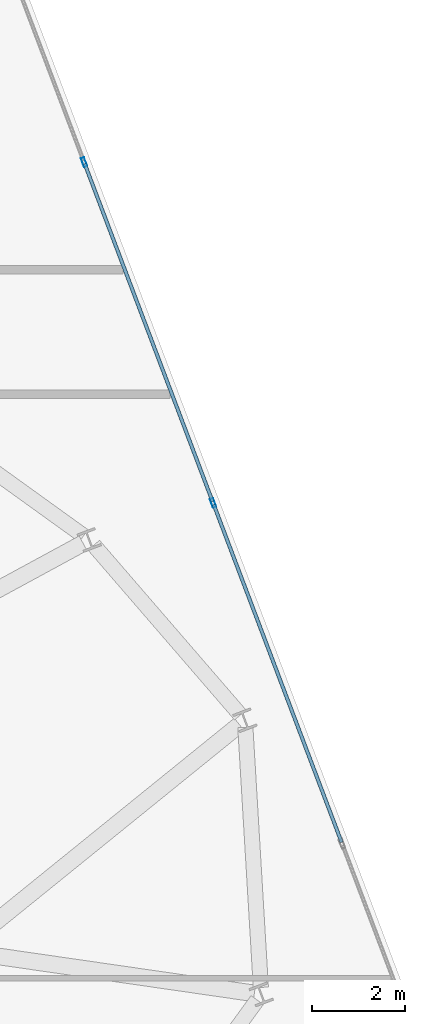
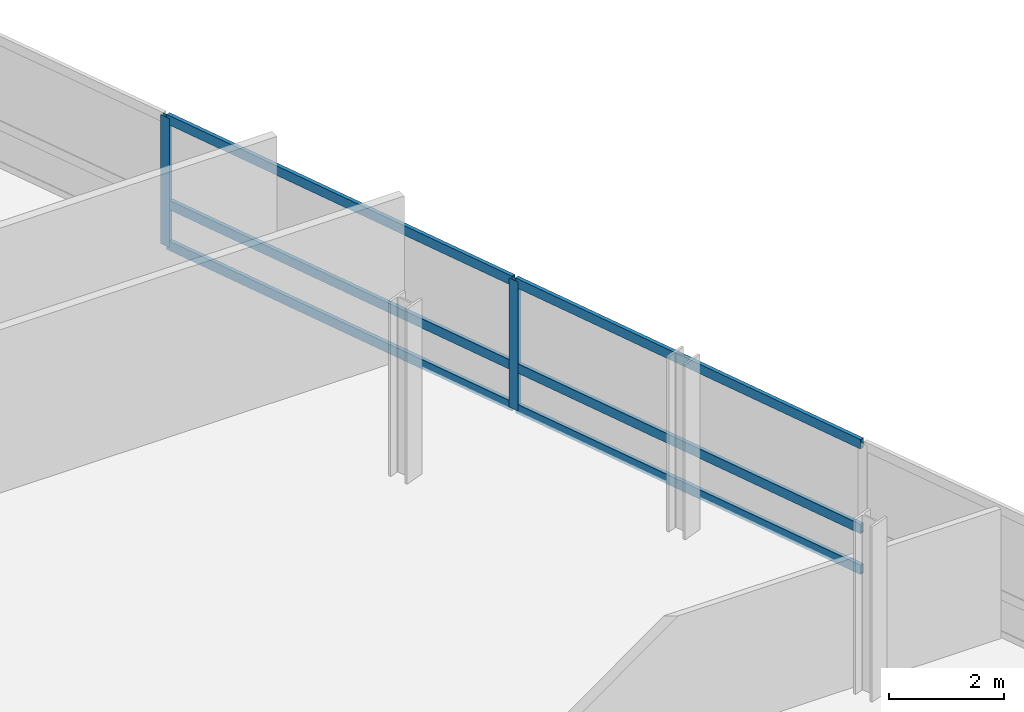
# One storey, part 16 of 24: 8 members, 1 element without a shape of its own.
"""IFC4 building model written with IfcOpenShell, lengths in metres."""

from ifc_helpers import new_model, si_unit, direction, frame, origin, origin_2d, place, context, subcontext, project, spatial, hollow_rectangle, extrude, material, layer, layer_set, material_profile, profile_set, type_object, element, aggregate, save


model = new_model("IFC4")

# Units and contexts
model_context = context("Model", 3, precision=1e-05, world=origin(), true_north=direction((0.0, 1.0)))
body_context = subcontext(model_context, "Body", "Model", "MODEL_VIEW")
ifc_project = project(units=[si_unit("LENGTHUNIT", "METRE"), si_unit("AREAUNIT", "SQUARE_METRE"), si_unit("VOLUMEUNIT", "CUBIC_METRE"), si_unit("PLANEANGLEUNIT", "RADIAN"), si_unit("MASSUNIT", "GRAM", prefix="KILO")], contexts=[model_context])

# Site, building, storey
site_placement = place(None, origin())
site = spatial("IfcSite", under=ifc_project, at=site_placement, CompositionType="ELEMENT")
building_placement = place(site_placement, origin())
building = spatial("IfcBuilding", under=site, at=building_placement, Name="Varnelok Gate Tower", CompositionType="ELEMENT")
storey_placement = place(building_placement, frame((0.0, 0.0, 242.300048828125)))
storey = spatial("IfcBuildingStorey", under=building, at=storey_placement, Name="L62", CompositionType="ELEMENT", Elevation=242.300048828125)

# Curtain wall, members
ifc_material = material(Name="Anodized Aluminum Alloy 6063-T6", Category="aluminium")
ifc_layer = layer(ifc_material, 0.179931640625)
ifc_layer_set = layer_set([ifc_layer], Name="Anodized Aluminum Alloy 6063-T6")
curtain_wall_type = type_object("IfcCurtainWallType", Name="CW4-RESIDENCE-VISION", PredefinedType="USERDEFINED", material=ifc_layer_set)
curtain_wall_placement = place(storey_placement, origin())
curtain_wall = element("IfcCurtainWall", 1, at=curtain_wall_placement, inside=storey, type_object=curtain_wall_type, Name="L62 East End Vision Curtain Wall", ObjectType="UNITISED CURTAIN WALL", PredefinedType="USERDEFINED")
ifc_material_profile_1 = material_profile(ifc_material, hollow_rectangle(XDim=0.074951171875, YDim=0.199951171875, WallThickness=0.00390625, at=origin_2d()), Name="ALU200X75X4")
ifc_profile_set_1 = profile_set([ifc_material_profile_1], Name="Anodized Aluminum Alloy 6063-T6")
member_type_1 = type_object("IfcMemberType", Name="CW-MULL-200", PredefinedType="MULLION", material=ifc_profile_set_1)
member_1_placement = place(storey_placement, frame((67.26318359375, 44.2646484375, 0.0), z_axis=(0.0, 0.0, 1.0), x_axis=(0.935221557832, 0.354063042079, 0.0)))
member_1 = element("IfcMember", 2, at=member_1_placement, type_object=member_type_1, Name="CW4 mullion 2", PredefinedType="MULLION", context=body_context, shape_type="SweptSolid", body=[
    extrude(hollow_rectangle(XDim=0.074951171875, YDim=0.199951171875, WallThickness=0.00390625, at=origin_2d()), origin(), (0.0, 0.0, 1.0), 2.72998046875),
])
member_2_placement = place(storey_placement, frame((70.02490234375, 36.969970703125, 0.0), z_axis=(0.0, 0.0, 1.0), x_axis=(0.935221557832, 0.354063042079, 0.0)))
member_2 = element("IfcMember", 3, at=member_2_placement, type_object=member_type_1, Name="CW4 mullion 3", PredefinedType="MULLION", context=body_context, shape_type="SweptSolid", body=[
    extrude(hollow_rectangle(XDim=0.074951171875, YDim=0.199951171875, WallThickness=0.00390625, at=origin_2d()), origin(), (0.0, 0.0, 1.0), 2.72998046875),
])
ifc_material_profile_2 = material_profile(ifc_material, hollow_rectangle(XDim=0.074951171875, YDim=0.199951171875, WallThickness=0.00390625, at=origin_2d()), Name="ALU200X75X4")
ifc_profile_set_2 = profile_set([ifc_material_profile_2], Name="Anodized Aluminum Alloy 6063-T6")
member_type_2 = type_object("IfcMemberType", Name="CW-TRAN-200", PredefinedType="USERDEFINED", material=ifc_profile_set_2)
member_3_placement = place(storey_placement, frame((67.2763671875, 44.2294921875, 0.037353515625), z_axis=(0.354086355793, -0.935212731223, 0.0), x_axis=(0.935212731223, 0.354086355793, 0.0)))
member_3 = element("IfcMember", 4, at=member_3_placement, type_object=member_type_2, Name="CW4 transom 2.1", ObjectType="TRANSOM", PredefinedType="USERDEFINED", context=body_context, shape_type="SweptSolid", body=[
    extrude(hollow_rectangle(XDim=0.074951171875, YDim=0.199951171875, WallThickness=0.00390625, at=origin_2d()), origin(), (0.0, 0.0, 1.0), 7.72509765625),
])
member_4_placement = place(storey_placement, frame((67.2763671875, 44.2294921875, 0.89990234375), z_axis=(0.354086355793, -0.935212731223, 0.0), x_axis=(0.935212731223, 0.354086355793, 0.0)))
member_4 = element("IfcMember", 5, at=member_4_placement, type_object=member_type_2, Name="CW4 transom 2.2", ObjectType="TRANSOM", PredefinedType="USERDEFINED", context=body_context, shape_type="SweptSolid", body=[
    extrude(hollow_rectangle(XDim=0.074951171875, YDim=0.199951171875, WallThickness=0.00390625, at=origin_2d()), origin(), (0.0, 0.0, 1.0), 7.72509765625),
])
member_5_placement = place(storey_placement, frame((67.2763671875, 44.2294921875, 2.6923828125), z_axis=(0.354086355793, -0.935212731223, 0.0), x_axis=(0.935212731223, 0.354086355793, 0.0)))
member_5 = element("IfcMember", 6, at=member_5_placement, type_object=member_type_2, Name="CW4 transom 2.3", ObjectType="TRANSOM", PredefinedType="USERDEFINED", context=body_context, shape_type="SweptSolid", body=[
    extrude(hollow_rectangle(XDim=0.074951171875, YDim=0.199951171875, WallThickness=0.00390625, at=origin_2d()), origin(), (0.0, 0.0, 1.0), 7.72509765625),
])
member_6_placement = place(storey_placement, frame((70.0380859375, 36.934814453125, 0.037353515625), z_axis=(0.354086355793, -0.935212731223, 0.0), x_axis=(0.935212731223, 0.354086355793, 0.0)))
member_6 = element("IfcMember", 7, at=member_6_placement, type_object=member_type_2, Name="CW4 transom 3.1", ObjectType="TRANSOM", PredefinedType="USERDEFINED", context=body_context, shape_type="SweptSolid", body=[
    extrude(hollow_rectangle(XDim=0.074951171875, YDim=0.199951171875, WallThickness=0.00390625, at=origin_2d()), origin(), (0.0, 0.0, 1.0), 7.72509765625),
])
member_7_placement = place(storey_placement, frame((70.0380859375, 36.934814453125, 0.89990234375), z_axis=(0.354086355793, -0.935212731223, 0.0), x_axis=(0.935212731223, 0.354086355793, 0.0)))
member_7 = element("IfcMember", 8, at=member_7_placement, type_object=member_type_2, Name="CW4 transom 3.2", ObjectType="TRANSOM", PredefinedType="USERDEFINED", context=body_context, shape_type="SweptSolid", body=[
    extrude(hollow_rectangle(XDim=0.074951171875, YDim=0.199951171875, WallThickness=0.00390625, at=origin_2d()), origin(), (0.0, 0.0, 1.0), 7.72509765625),
])
member_8_placement = place(storey_placement, frame((70.0380859375, 36.934814453125, 2.6923828125), z_axis=(0.354086355793, -0.935212731223, 0.0), x_axis=(0.935212731223, 0.354086355793, 0.0)))
member_8 = element("IfcMember", 9, at=member_8_placement, type_object=member_type_2, Name="CW4 transom 3.3", ObjectType="TRANSOM", PredefinedType="USERDEFINED", context=body_context, shape_type="SweptSolid", body=[
    extrude(hollow_rectangle(XDim=0.074951171875, YDim=0.199951171875, WallThickness=0.00390625, at=origin_2d()), origin(), (0.0, 0.0, 1.0), 7.72509765625),
])
aggregate(curtain_wall, [member_1, member_2, member_3, member_4, member_5, member_6, member_7, member_8])

save(model, "model.ifc")
